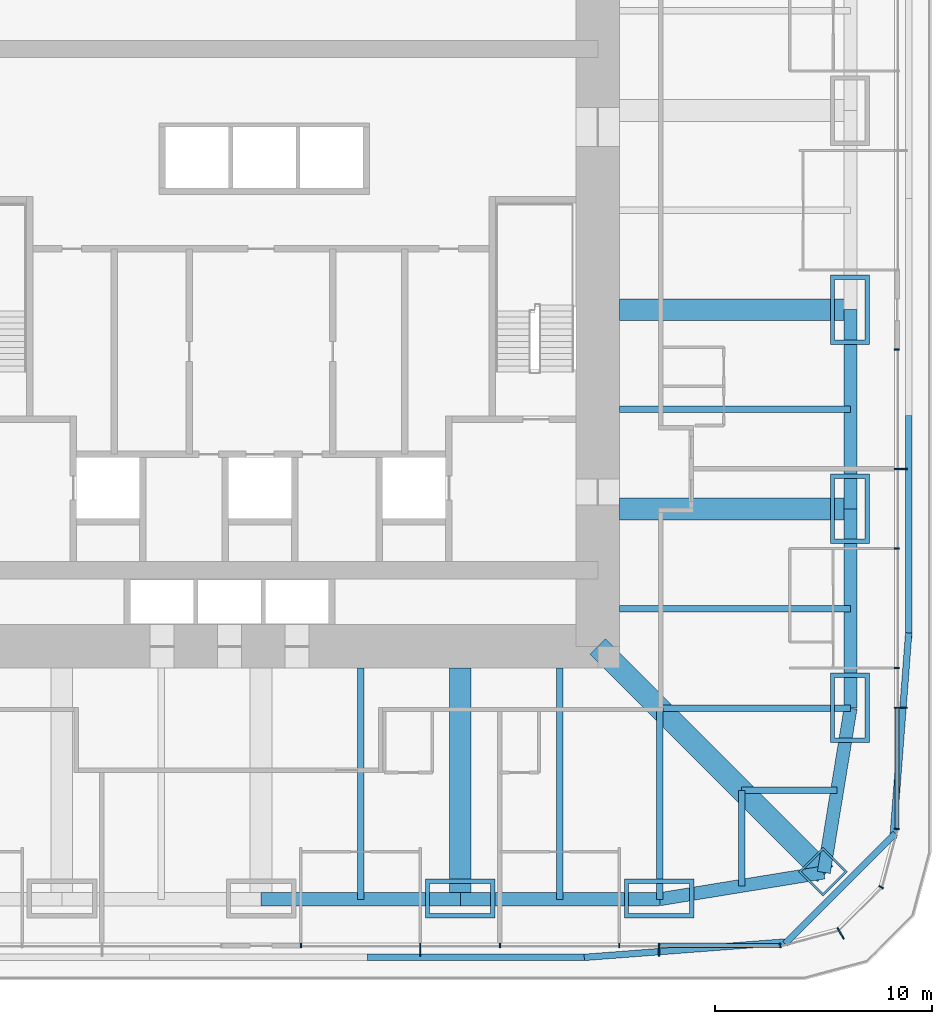
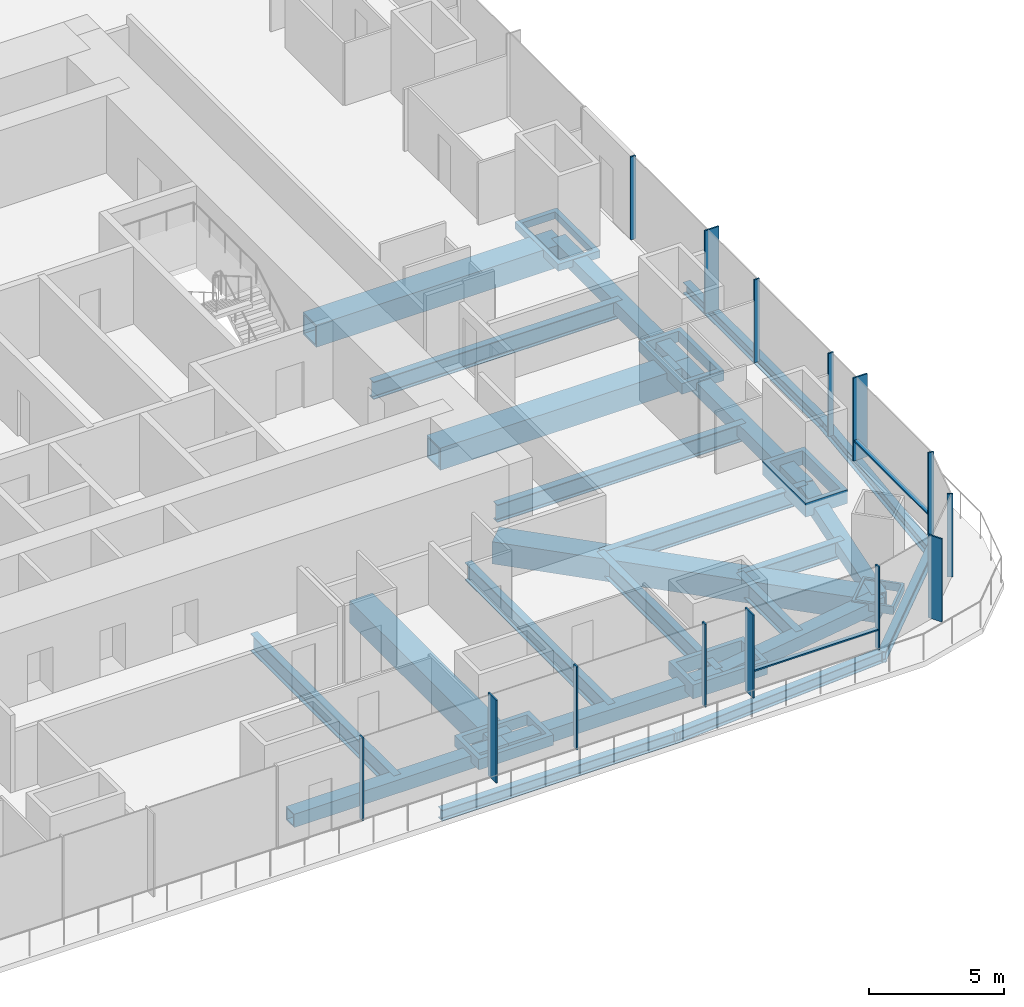
# One storey, part 4 of 16: 32 members, 13 beams, 3 elements without a shape of their own.
"""IFC4 building model written with IfcOpenShell, lengths in metres."""

from ifc_helpers import new_model, si_unit, direction, frame, origin, origin_2d, place, context, subcontext, project, spatial, rectangle, hollow_rectangle, i_section, extrude, material, material_profile, profile_set, type_object, element, aggregate, save


model = new_model("IFC4")

# Units and contexts
model_context = context("Model", 3, precision=1e-05, world=origin(), true_north=direction((0.0, 1.0)))
body_context = subcontext(model_context, "Body", "Model", "MODEL_VIEW")
ifc_project = project(units=[si_unit("LENGTHUNIT", "METRE"), si_unit("AREAUNIT", "SQUARE_METRE"), si_unit("VOLUMEUNIT", "CUBIC_METRE"), si_unit("PLANEANGLEUNIT", "RADIAN"), si_unit("MASSUNIT", "GRAM", prefix="KILO")], contexts=[model_context])

# Site, building, storey
site_placement = place(None, origin())
site = spatial("IfcSite", under=ifc_project, at=site_placement, CompositionType="ELEMENT")
building_placement = place(site_placement, origin())
building = spatial("IfcBuilding", under=site, at=building_placement, Name="Khuree Lantern Residences", CompositionType="ELEMENT")
storey_placement = place(building_placement, frame((0.0, 0.0, 107.25)))
storey = spatial("IfcBuildingStorey", under=building, at=storey_placement, Name="L26", CompositionType="ELEMENT", Elevation=107.25)

# Beams
ifc_material_1 = material(Name="Steel S355", Category="steel")
ifc_material_profile_1 = material_profile(ifc_material_1, i_section(OverallWidth=0.300048828125, OverallDepth=0.7900390625, WebThickness=0.014892578125, FlangeThickness=0.028076171875, FilletRadius=0.030029296875, at=origin_2d()), Name="HE 800 A")
ifc_profile_set_1 = profile_set([ifc_material_profile_1], Name="Steel S355")
beam_type_1 = type_object("IfcBeamType", Name="B-21 SECONDARY BEAM HE 800 A", PredefinedType="BEAM", material=ifc_profile_set_1)
for number, where, z_axis, x_axis, name in (
    (1, (27.1337890625, -4.585205078125, -0.64501953125), (-1.0, 0.0, 0.0), (0.0, -1.0, 0.0), "Secondary beam E4"),
    (2, (27.1337890625, -13.755859375, -0.64501953125), (-1.0, 0.0, 0.0), (0.0, -1.0, 0.0), "Secondary beam E5"),
):
    element("IfcBeam", number, at=place(storey_placement, frame(where, z_axis=z_axis, x_axis=x_axis)), inside=storey, type_object=beam_type_1, Name=name, PredefinedType="BEAM", context=body_context, shape_type="SweptSolid", body=[
        extrude(i_section(OverallWidth=0.300048828125, OverallDepth=0.7900390625, WebThickness=0.014892578125, FlangeThickness=0.028076171875, FilletRadius=0.030029296875, at=origin_2d()), origin(), (0.0, 0.0, 1.0), 10.6337890625),
    ])
for number, where, z_axis, x_axis, name in (
    (3, (26.517578125, -22.12109375, -0.64501953125), (-1.0, 0.0, 0.0), (0.0, -1.0, 0.0), "Secondary beam E6"),
    (4, (22.12109375, -26.517578125, -0.64501953125), (0.0, 1.0, 0.0), (-1.0, 0.0, 0.0), "Secondary beam S1"),
):
    element("IfcBeam", number, at=place(storey_placement, frame(where, z_axis=z_axis, x_axis=x_axis)), inside=storey, type_object=beam_type_1, Name=name, PredefinedType="BEAM", context=body_context, shape_type="SweptSolid", body=[
        extrude(i_section(OverallWidth=0.300048828125, OverallDepth=0.7900390625, WebThickness=0.014892578125, FlangeThickness=0.028076171875, FilletRadius=0.030029296875, at=origin_2d()), origin(), (0.0, 0.0, 1.0), 4.396484375),
    ])
for number, where, z_axis, x_axis, name in (
    (5, (13.755859375, -27.1337890625, -0.64501953125), (0.0, 1.0, 0.0), (-1.0, 0.0, 0.0), "Secondary beam S2"),
    (6, (4.585205078125, -27.1337890625, -0.64501953125), (0.0, 1.0, 0.0), (-1.0, 0.0, 0.0), "Secondary beam S3"),
):
    element("IfcBeam", number, at=place(storey_placement, frame(where, z_axis=z_axis, x_axis=x_axis)), inside=storey, type_object=beam_type_1, Name=name, PredefinedType="BEAM", context=body_context, shape_type="SweptSolid", body=[
        extrude(i_section(OverallWidth=0.300048828125, OverallDepth=0.7900390625, WebThickness=0.014892578125, FlangeThickness=0.028076171875, FilletRadius=0.030029296875, at=origin_2d()), origin(), (0.0, 0.0, 1.0), 10.6337890625),
    ])

# Members
ifc_material_profile_2 = material_profile(ifc_material_1, hollow_rectangle(XDim=0.60009765625, YDim=0.60009765625, WallThickness=0.050048828125, at=origin_2d()), Name="WELDED BOX 600X600X50")
ifc_profile_set_2 = profile_set([ifc_material_profile_2], Name="Steel S355")
member_type_1 = type_object("IfcMemberType", Name="BT-26 BELT TRUSS CHORD WELDED BOX 600X600X50", PredefinedType="CHORD", material=ifc_profile_set_2)
member_1_placement = place(storey_placement, frame((27.1337890625, 0.0, -0.550048828125), z_axis=(0.0, -1.0, 0.0), x_axis=(1.0, 0.0, 0.0)))
element("IfcMember", 7, at=member_1_placement, inside=storey, type_object=member_type_1, Name="Belt truss chord E4", PredefinedType="CHORD", context=body_context, shape_type="SweptSolid", body=[
    extrude(hollow_rectangle(XDim=0.60009765625, YDim=0.60009765625, WallThickness=0.050048828125, at=origin_2d()), origin(), (0.0, 0.0, 1.0), 9.17041015625),
])
member_2_placement = place(storey_placement, frame((27.1337890625, -9.17041015625, -0.550048828125), z_axis=(0.0, -1.0, 0.0), x_axis=(1.0, 0.0, 0.0)))
element("IfcMember", 8, at=member_2_placement, inside=storey, type_object=member_type_1, Name="Belt truss chord E5", PredefinedType="CHORD", context=body_context, shape_type="SweptSolid", body=[
    extrude(hollow_rectangle(XDim=0.60009765625, YDim=0.60009765625, WallThickness=0.050048828125, at=origin_2d()), origin(), (0.0, 0.0, 1.0), 9.170654296875),
])
for number, where, z_axis, x_axis, name in (
    (9, (27.1337890625, -18.341064453125, -0.550048828125), (-0.160888608448, -0.986972570881, 0.0), (0.986972570881, -0.160888608448, 0.0), "Belt truss chord E6"),
    (10, (25.9013671875, -25.9013671875, -0.550048828125), (-0.986972570881, -0.160888608448, 0.0), (0.160888608448, -0.986972570881, 0.0), "Belt truss chord S1"),
):
    element("IfcMember", number, at=place(storey_placement, frame(where, z_axis=z_axis, x_axis=x_axis)), inside=storey, type_object=member_type_1, Name=name, PredefinedType="CHORD", context=body_context, shape_type="SweptSolid", body=[
        extrude(hollow_rectangle(XDim=0.60009765625, YDim=0.60009765625, WallThickness=0.050048828125, at=origin_2d()), origin(), (0.0, 0.0, 1.0), 7.66015625),
    ])
member_3_placement = place(storey_placement, frame((18.341064453125, -27.1337890625, -0.550048828125), z_axis=(-1.0, 0.0, 0.0), x_axis=(0.0, -1.0, 0.0)))
element("IfcMember", 11, at=member_3_placement, inside=storey, type_object=member_type_1, Name="Belt truss chord S2", PredefinedType="CHORD", context=body_context, shape_type="SweptSolid", body=[
    extrude(hollow_rectangle(XDim=0.60009765625, YDim=0.60009765625, WallThickness=0.050048828125, at=origin_2d()), origin(), (0.0, 0.0, 1.0), 9.170654296875),
])
member_4_placement = place(storey_placement, frame((9.17041015625, -27.1337890625, -0.550048828125), z_axis=(-1.0, 0.0, 0.0), x_axis=(0.0, -1.0, 0.0)))
element("IfcMember", 12, at=member_4_placement, inside=storey, type_object=member_type_1, Name="Belt truss chord S3", PredefinedType="CHORD", context=body_context, shape_type="SweptSolid", body=[
    extrude(hollow_rectangle(XDim=0.60009765625, YDim=0.60009765625, WallThickness=0.050048828125, at=origin_2d()), origin(), (0.0, 0.0, 1.0), 9.17041015625),
])

# Curtain wall, member
ifc_material_2 = material(Name="Bronze anodised aluminium", Category="aluminium")
curtain_wall_type_1 = type_object("IfcCurtainWallType", Name="CW-T2 TOWER CORNER CURTAIN WALL", PredefinedType="USERDEFINED", material=ifc_material_2)
curtain_wall_1_placement = place(storey_placement, origin())
curtain_wall_1 = element("IfcCurtainWall", 13, at=curtain_wall_1_placement, inside=storey, type_object=curtain_wall_type_1, Name="L26 SOUTH-EAST CORNER CURTAIN WALL", ObjectType="Faceted corner curtain wall", PredefinedType="USERDEFINED")
ifc_material_profile_3 = material_profile(ifc_material_2, rectangle(XDim=0.06494140625, YDim=0.60009765625, at=origin_2d()), Name="F1 65X600")
ifc_profile_set_3 = profile_set([ifc_material_profile_3], Name="Bronze anodised aluminium")
member_type_2 = type_object("IfcMemberType", Name="F1 BRONZE FIN MULLION TOWER 65X600", PredefinedType="MULLION", material=ifc_profile_set_3)
member_5_placement = place(storey_placement, frame((26.675048828125, -28.70654296875, 0.0), z_axis=(0.0, 0.0, 1.0), x_axis=(0.866025388199, 0.500000026995, 0.0)))
member_5 = element("IfcMember", 14, at=member_5_placement, type_object=member_type_2, Name="L26 SOUTH-EAST CORNER FIN MULLION 2", PredefinedType="MULLION", context=body_context, shape_type="SweptSolid", body=[
    extrude(rectangle(XDim=0.06494140625, YDim=0.60009765625, at=origin_2d()), origin(), (0.0, 0.0, 1.0), 3.75),
])

# Curtain wall, members
curtain_wall_type_2 = type_object("IfcCurtainWallType", Name="CW-T1 TOWER FACE CURTAIN WALL", PredefinedType="USERDEFINED", material=ifc_material_2)
curtain_wall_2_placement = place(storey_placement, origin())
curtain_wall_2 = element("IfcCurtainWall", 15, at=curtain_wall_2_placement, inside=storey, type_object=curtain_wall_type_2, Name="L26 EAST FACE CURTAIN WALL", ObjectType="Stick-built curtain wall", PredefinedType="USERDEFINED")
member_6_placement = place(storey_placement, frame((29.449951171875, -18.320068359375, 0.0), z_axis=(0.0, 0.0, 1.0), x_axis=(0.0, 1.0, 0.0)))
member_6 = element("IfcMember", 16, at=member_6_placement, type_object=member_type_2, Name="L26 EAST FACE FIN MULLION 5", PredefinedType="MULLION", context=body_context, shape_type="SweptSolid", body=[
    extrude(rectangle(XDim=0.06494140625, YDim=0.60009765625, at=origin_2d()), origin(), (0.0, 0.0, 1.0), 3.75),
])
member_7_placement = place(storey_placement, frame((29.449951171875, -7.327880859375, 0.0), z_axis=(0.0, 0.0, 1.0), x_axis=(0.0, 1.0, 0.0)))
member_7 = element("IfcMember", 17, at=member_7_placement, type_object=member_type_2, Name="L26 EAST FACE FIN MULLION 8", PredefinedType="MULLION", context=body_context, shape_type="SweptSolid", body=[
    extrude(rectangle(XDim=0.06494140625, YDim=0.60009765625, at=origin_2d()), origin(), (0.0, 0.0, 1.0), 3.75),
])

curtain_wall_3_placement = place(storey_placement, origin())
curtain_wall_3 = element("IfcCurtainWall", 18, at=curtain_wall_3_placement, inside=storey, type_object=curtain_wall_type_2, Name="L26 SOUTH FACE CURTAIN WALL", ObjectType="Stick-built curtain wall", PredefinedType="USERDEFINED")
member_8_placement = place(storey_placement, frame((7.327880859375, -29.449951171875, 0.0), z_axis=(0.0, 0.0, 1.0), x_axis=(1.0, 0.0, 0.0)))
member_8 = element("IfcMember", 19, at=member_8_placement, type_object=member_type_2, Name="L26 SOUTH FACE FIN MULLION 53", PredefinedType="MULLION", context=body_context, shape_type="SweptSolid", body=[
    extrude(rectangle(XDim=0.06494140625, YDim=0.60009765625, at=origin_2d()), origin(), (0.0, 0.0, 1.0), 3.75),
])
member_9_placement = place(storey_placement, frame((18.320068359375, -29.449951171875, 0.0), z_axis=(0.0, 0.0, 1.0), x_axis=(1.0, 0.0, 0.0)))
member_9 = element("IfcMember", 20, at=member_9_placement, type_object=member_type_2, Name="L26 SOUTH FACE FIN MULLION 56", PredefinedType="MULLION", context=body_context, shape_type="SweptSolid", body=[
    extrude(rectangle(XDim=0.06494140625, YDim=0.60009765625, at=origin_2d()), origin(), (0.0, 0.0, 1.0), 3.75),
])

# Beams
ifc_material_profile_4 = material_profile(ifc_material_1, i_section(OverallWidth=0.300048828125, OverallDepth=0.800048828125, WebThickness=0.017578125, FlangeThickness=0.032958984375, FilletRadius=0.030029296875, at=origin_2d()), Name="HE 800 B")
ifc_profile_set_4 = profile_set([ifc_material_profile_4], Name="Steel S355")
beam_type_2 = type_object("IfcBeamType", Name="G-21 GIRDER HE 800 B", PredefinedType="BEAM", material=ifc_profile_set_4)
for number, where, z_axis, x_axis, name in (
    (21, (27.135498046875, -18.342041015625, -0.64990234375), (-1.0, 0.0, 0.0), (0.0, -1.0, 0.0), "Girder E5"),
    (22, (18.342041015625, -27.135498046875, -0.64990234375), (0.0, 1.0, 0.0), (-1.0, 0.0, 0.0), "Girder S1"),
):
    element("IfcBeam", number, at=place(storey_placement, frame(where, z_axis=z_axis, x_axis=x_axis)), inside=storey, type_object=beam_type_2, Name=name, PredefinedType="BEAM", context=body_context, shape_type="SweptSolid", body=[
        extrude(i_section(OverallWidth=0.300048828125, OverallDepth=0.800048828125, WebThickness=0.017578125, FlangeThickness=0.032958984375, FilletRadius=0.030029296875, at=origin_2d()), origin(), (0.0, 0.0, 1.0), 8.79345703125),
    ])

# Member
ifc_material_profile_5 = material_profile(ifc_material_2, rectangle(XDim=0.06494140625, YDim=0.219970703125, at=origin_2d()), Name="M1 65X220")
ifc_profile_set_5 = profile_set([ifc_material_profile_5], Name="Bronze anodised aluminium")
member_type_3 = type_object("IfcMemberType", Name="M1 BRONZE MULLION TOWER 65X220", PredefinedType="MULLION", material=ifc_profile_set_5)
member_10_placement = place(storey_placement, frame((23.89501953125, -29.26171875, 0.0), z_axis=(0.0, 0.0, 1.0), x_axis=(0.991444857305, 0.130526223125, 0.0)))
member_10 = element("IfcMember", 23, at=member_10_placement, type_object=member_type_3, Name="L26 SOUTH-EAST CORNER MULLION 1", PredefinedType="MULLION", context=body_context, shape_type="SweptSolid", body=[
    extrude(rectangle(XDim=0.06494140625, YDim=0.219970703125, at=origin_2d()), origin(), (0.0, 0.0, 1.0), 3.75),
])

member_11_placement = place(storey_placement, frame((28.5419921875, -26.580078125, 0.0), z_axis=(0.0, 0.0, 1.0), x_axis=(0.500000026995, 0.866025388199, 0.0)))
member_11 = element("IfcMember", 24, at=member_11_placement, type_object=member_type_3, Name="L26 SOUTH-EAST CORNER MULLION 3", PredefinedType="MULLION", context=body_context, shape_type="SweptSolid", body=[
    extrude(rectangle(XDim=0.06494140625, YDim=0.219970703125, at=origin_2d()), origin(), (0.0, 0.0, 1.0), 3.75),
])

aggregate(curtain_wall_1, [member_10, member_5, member_11])

member_12_placement = place(storey_placement, frame((29.26171875, -23.89501953125, 0.0), z_axis=(0.0, 0.0, 1.0), x_axis=(0.130526223125, 0.991444857305, 0.0)))
member_12 = element("IfcMember", 25, at=member_12_placement, type_object=member_type_3, Name="L26 EAST FACE MULLION 4", PredefinedType="MULLION", context=body_context, shape_type="SweptSolid", body=[
    extrude(rectangle(XDim=0.06494140625, YDim=0.219970703125, at=origin_2d()), origin(), (0.0, 0.0, 1.0), 3.75),
])

member_13_placement = place(storey_placement, frame((29.260009765625, -16.488037109375, 0.0), z_axis=(0.0, 0.0, 1.0), x_axis=(0.0, 1.0, 0.0)))
member_13 = element("IfcMember", 26, at=member_13_placement, type_object=member_type_3, Name="L26 EAST FACE MULLION 6", PredefinedType="MULLION", context=body_context, shape_type="SweptSolid", body=[
    extrude(rectangle(XDim=0.06494140625, YDim=0.219970703125, at=origin_2d()), origin(), (0.0, 0.0, 1.0), 3.75),
])

member_14_placement = place(storey_placement, frame((29.260009765625, -10.991943359375, 0.0), z_axis=(0.0, 0.0, 1.0), x_axis=(0.0, 1.0, 0.0)))
member_14 = element("IfcMember", 27, at=member_14_placement, type_object=member_type_3, Name="L26 EAST FACE MULLION 7", PredefinedType="MULLION", context=body_context, shape_type="SweptSolid", body=[
    extrude(rectangle(XDim=0.06494140625, YDim=0.219970703125, at=origin_2d()), origin(), (0.0, 0.0, 1.0), 3.75),
])

member_15_placement = place(storey_placement, frame((29.260009765625, -1.83203125, 0.0), z_axis=(0.0, 0.0, 1.0), x_axis=(0.0, 1.0, 0.0)))
member_15 = element("IfcMember", 28, at=member_15_placement, type_object=member_type_3, Name="L26 EAST FACE MULLION 9", PredefinedType="MULLION", context=body_context, shape_type="SweptSolid", body=[
    extrude(rectangle(XDim=0.06494140625, YDim=0.219970703125, at=origin_2d()), origin(), (0.0, 0.0, 1.0), 3.75),
])

member_16_placement = place(storey_placement, frame((1.83203125, -29.260009765625, 0.0), z_axis=(0.0, 0.0, 1.0), x_axis=(1.0, 0.0, 0.0)))
member_16 = element("IfcMember", 29, at=member_16_placement, type_object=member_type_3, Name="L26 SOUTH FACE MULLION 52", PredefinedType="MULLION", context=body_context, shape_type="SweptSolid", body=[
    extrude(rectangle(XDim=0.06494140625, YDim=0.219970703125, at=origin_2d()), origin(), (0.0, 0.0, 1.0), 3.75),
])

member_17_placement = place(storey_placement, frame((10.991943359375, -29.260009765625, 0.0), z_axis=(0.0, 0.0, 1.0), x_axis=(1.0, 0.0, 0.0)))
member_17 = element("IfcMember", 30, at=member_17_placement, type_object=member_type_3, Name="L26 SOUTH FACE MULLION 54", PredefinedType="MULLION", context=body_context, shape_type="SweptSolid", body=[
    extrude(rectangle(XDim=0.06494140625, YDim=0.219970703125, at=origin_2d()), origin(), (0.0, 0.0, 1.0), 3.75),
])

member_18_placement = place(storey_placement, frame((16.488037109375, -29.260009765625, 0.0), z_axis=(0.0, 0.0, 1.0), x_axis=(1.0, 0.0, 0.0)))
member_18 = element("IfcMember", 31, at=member_18_placement, type_object=member_type_3, Name="L26 SOUTH FACE MULLION 55", PredefinedType="MULLION", context=body_context, shape_type="SweptSolid", body=[
    extrude(rectangle(XDim=0.06494140625, YDim=0.219970703125, at=origin_2d()), origin(), (0.0, 0.0, 1.0), 3.75),
])

# Members
ifc_material_3 = material(Name="Steel S355 CFT welded box", Category="steel")
ifc_material_profile_6 = material_profile(ifc_material_3, hollow_rectangle(XDim=3.199951171875, YDim=1.800048828125, WallThickness=0.199951171875, at=origin_2d()), Name="WELDED BOX 3200X1800X200")
ifc_profile_set_6 = profile_set([ifc_material_profile_6], Name="Steel S355 CFT welded box")
member_type_4 = type_object("IfcMemberType", Name="MN MEGA COLUMN NODE WELDED BOX 3200X1800X200", PredefinedType="MEMBER", material=ifc_profile_set_6)
member_19_placement = place(storey_placement, frame((27.10009765625, 0.0, -0.550048828125), z_axis=(0.0, 0.0, 1.0), x_axis=(0.0, 1.0, 0.0)))
element("IfcMember", 32, at=member_19_placement, inside=storey, type_object=member_type_4, Name="Mega column node E3", PredefinedType="MEMBER", context=body_context, shape_type="SweptSolid", body=[
    extrude(hollow_rectangle(XDim=3.199951171875, YDim=1.800048828125, WallThickness=0.199951171875, at=origin_2d()), origin(), (0.0, 0.0, 1.0), 0.320068359375),
])
member_20_placement = place(storey_placement, frame((27.10009765625, -9.159912109375, -0.550048828125), z_axis=(0.0, 0.0, 1.0), x_axis=(0.0, 1.0, 0.0)))
element("IfcMember", 33, at=member_20_placement, inside=storey, type_object=member_type_4, Name="Mega column node E4", PredefinedType="MEMBER", context=body_context, shape_type="SweptSolid", body=[
    extrude(hollow_rectangle(XDim=3.199951171875, YDim=1.800048828125, WallThickness=0.199951171875, at=origin_2d()), origin(), (0.0, 0.0, 1.0), 0.47998046875),
])
for number, where, z_axis, x_axis, name in (
    (34, (27.10009765625, -18.320068359375, -0.550048828125), (0.0, 0.0, 1.0), (0.0, 1.0, 0.0), "Mega column node E5"),
    (35, (18.320068359375, -27.10009765625, -0.550048828125), (0.0, 0.0, 1.0), (1.0, 0.0, 0.0), "Mega column node S1"),
):
    element("IfcMember", number, at=place(storey_placement, frame(where, z_axis=z_axis, x_axis=x_axis)), inside=storey, type_object=member_type_4, Name=name, PredefinedType="MEMBER", context=body_context, shape_type="SweptSolid", body=[
        extrude(hollow_rectangle(XDim=3.199951171875, YDim=1.800048828125, WallThickness=0.199951171875, at=origin_2d()), origin(), (0.0, 0.0, 1.0), 0.630126953125),
    ])
member_21_placement = place(storey_placement, frame((9.159912109375, -27.10009765625, -0.550048828125), z_axis=(0.0, 0.0, 1.0), x_axis=(1.0, 0.0, 0.0)))
element("IfcMember", 36, at=member_21_placement, inside=storey, type_object=member_type_4, Name="Mega column node S2", PredefinedType="MEMBER", context=body_context, shape_type="SweptSolid", body=[
    extrude(hollow_rectangle(XDim=3.199951171875, YDim=1.800048828125, WallThickness=0.199951171875, at=origin_2d()), origin(), (0.0, 0.0, 1.0), 0.47998046875),
])
ifc_material_profile_7 = material_profile(ifc_material_3, hollow_rectangle(XDim=1.60009765625, YDim=1.60009765625, WallThickness=0.10009765625, at=origin_2d()), Name="WELDED BOX 1600X1600X100")
ifc_profile_set_7 = profile_set([ifc_material_profile_7], Name="Steel S355 CFT welded box")
member_type_5 = type_object("IfcMemberType", Name="MNA MEGA COLUMN NODE WELDED BOX 1600X1600X100", PredefinedType="MEMBER", material=ifc_profile_set_7)
member_22_placement = place(storey_placement, frame((25.869873046875, -25.869873046875, -0.550048828125), z_axis=(0.0, 0.0, 1.0), x_axis=(0.707106781187, 0.707106781187, 0.0)))
element("IfcMember", 37, at=member_22_placement, inside=storey, type_object=member_type_5, Name="Mega column node SE", PredefinedType="MEMBER", context=body_context, shape_type="SweptSolid", body=[
    extrude(hollow_rectangle(XDim=1.60009765625, YDim=1.60009765625, WallThickness=0.10009765625, at=origin_2d()), origin(), (0.0, 0.0, 1.0), 0.360107421875),
])
ifc_material_profile_8 = material_profile(ifc_material_1, hollow_rectangle(XDim=1.0, YDim=1.0, WallThickness=0.080078125, at=origin_2d()), Name="WELDED BOX 1000X1000X80")
ifc_profile_set_8 = profile_set([ifc_material_profile_8], Name="Steel S355")
member_type_6 = type_object("IfcMemberType", Name="OT-26 OUTRIGGER TRUSS CHORD WELDED BOX 1000X1000X80", PredefinedType="CHORD", material=ifc_profile_set_8)
for number, where, z_axis, x_axis, name in (
    (38, (27.135498046875, 0.0, -0.75), (-1.0, 0.0, 0.0), (0.0, -1.0, 0.0), "Outrigger chord E3"),
    (39, (27.135498046875, -9.171142578125, -0.75), (-1.0, 0.0, 0.0), (0.0, -1.0, 0.0), "Outrigger chord E4"),
    (40, (9.171142578125, -27.135498046875, -0.75), (0.0, 1.0, 0.0), (-1.0, 0.0, 0.0), "Outrigger chord S2"),
):
    element("IfcMember", number, at=place(storey_placement, frame(where, z_axis=z_axis, x_axis=x_axis)), inside=storey, type_object=member_type_6, Name=name, PredefinedType="CHORD", context=body_context, shape_type="SweptSolid", body=[
        extrude(hollow_rectangle(XDim=1.0, YDim=1.0, WallThickness=0.080078125, at=origin_2d()), origin(), (0.0, 0.0, 1.0), 10.635498046875),
    ])
member_23_placement = place(storey_placement, frame((25.969482421875, -25.969482421875, -0.75), z_axis=(-0.707106781187, 0.707106781187, 0.0), x_axis=(-0.707106781187, -0.707106781187, 0.0)))
element("IfcMember", 41, at=member_23_placement, inside=storey, type_object=member_type_6, Name="Outrigger chord SE", PredefinedType="CHORD", context=body_context, shape_type="SweptSolid", body=[
    extrude(hollow_rectangle(XDim=1.0, YDim=1.0, WallThickness=0.080078125, at=origin_2d()), origin(), (0.0, 0.0, 1.0), 14.80615234375),
])

# Beams
ifc_material_profile_9 = material_profile(ifc_material_1, i_section(OverallWidth=0.300048828125, OverallDepth=0.5, WebThickness=0.014404296875, FlangeThickness=0.028076171875, FilletRadius=0.027099609375, at=origin_2d()), Name="HE 500 B")
ifc_profile_set_9 = profile_set([ifc_material_profile_9], Name="Steel S355")
beam_type_3 = type_object("IfcBeamType", Name="TB1 TERRACE EDGE BEAM HE 500 B", PredefinedType="BEAM", material=ifc_profile_set_9)
beam_1_placement = place(storey_placement, frame((29.800048828125, -4.875, -0.5), z_axis=(0.0, -1.0, 0.0), x_axis=(1.0, 0.0, 0.0)))
element("IfcBeam", 42, at=beam_1_placement, inside=storey, type_object=beam_type_3, Name="Terrace edge beam E4", PredefinedType="BEAM", context=body_context, shape_type="SweptSolid", body=[
    extrude(i_section(OverallWidth=0.300048828125, OverallDepth=0.5, WebThickness=0.014404296875, FlangeThickness=0.028076171875, FilletRadius=0.027099609375, at=origin_2d()), origin(), (0.0, 0.0, 1.0), 10.25),
])
beam_2_placement = place(storey_placement, frame((29.8095703125, -14.875244140625, -0.5), z_axis=(-0.07622551891, -0.997090602838, 0.0), x_axis=(0.997090602838, -0.07622551891, 0.0)))
element("IfcBeam", 43, at=beam_2_placement, inside=storey, type_object=beam_type_3, Name="Terrace edge beam E5", PredefinedType="BEAM", context=body_context, shape_type="SweptSolid", body=[
    extrude(i_section(OverallWidth=0.300048828125, OverallDepth=0.5, WebThickness=0.014404296875, FlangeThickness=0.028076171875, FilletRadius=0.027099609375, at=origin_2d()), origin(), (0.0, 0.0, 1.0), 9.47412109375),
])
beam_3_placement = place(storey_placement, frame((29.185546875, -24.108642578125, -0.5), z_axis=(-0.707106781187, -0.707106781187, 0.0), x_axis=(0.707106781187, -0.707106781187, 0.0)))
element("IfcBeam", 44, at=beam_3_placement, inside=storey, type_object=beam_type_3, Name="Terrace edge beam E6", PredefinedType="BEAM", context=body_context, shape_type="SweptSolid", body=[
    extrude(i_section(OverallWidth=0.300048828125, OverallDepth=0.5, WebThickness=0.014404296875, FlangeThickness=0.028076171875, FilletRadius=0.027099609375, at=origin_2d()), origin(), (0.0, 0.0, 1.0), 7.179931640625),
])
beam_4_placement = place(storey_placement, frame((24.32177734375, -29.08740234375, -0.5), z_axis=(-0.997090602838, -0.07622551891, 0.0), x_axis=(0.07622551891, -0.997090602838, 0.0)))
element("IfcBeam", 45, at=beam_4_placement, inside=storey, type_object=beam_type_3, Name="Terrace edge beam S1", PredefinedType="BEAM", context=body_context, shape_type="SweptSolid", body=[
    extrude(i_section(OverallWidth=0.300048828125, OverallDepth=0.5, WebThickness=0.014404296875, FlangeThickness=0.028076171875, FilletRadius=0.027099609375, at=origin_2d()), origin(), (0.0, 0.0, 1.0), 9.47412109375),
])
beam_5_placement = place(storey_placement, frame((15.125, -29.800048828125, -0.5), z_axis=(-1.0, 0.0, 0.0), x_axis=(0.0, -1.0, 0.0)))
element("IfcBeam", 46, at=beam_5_placement, inside=storey, type_object=beam_type_3, Name="Terrace edge beam S2", PredefinedType="BEAM", context=body_context, shape_type="SweptSolid", body=[
    extrude(i_section(OverallWidth=0.300048828125, OverallDepth=0.5, WebThickness=0.014404296875, FlangeThickness=0.028076171875, FilletRadius=0.027099609375, at=origin_2d()), origin(), (0.0, 0.0, 1.0), 10.25),
])

# Member
ifc_material_profile_10 = material_profile(ifc_material_2, rectangle(XDim=0.179931640625, YDim=0.06494140625, at=origin_2d()), Name="T1 180X65")
ifc_profile_set_10 = profile_set([ifc_material_profile_10], Name="Bronze anodised aluminium")
member_type_7 = type_object("IfcMemberType", Name="TRANSOM T1 TOWER 180X65", PredefinedType="USERDEFINED", material=ifc_profile_set_10)
member_24_placement = place(storey_placement, frame((29.27001953125, -23.851318359375, 0.89990234375), z_axis=(0.0, 1.0, 0.0), x_axis=(-1.0, 0.0, 0.0)))
member_24 = element("IfcMember", 47, at=member_24_placement, type_object=member_type_7, Name="L26 EAST FACE TRANSOM 4.1", ObjectType="Transom", PredefinedType="USERDEFINED", context=body_context, shape_type="SweptSolid", body=[
    extrude(rectangle(XDim=0.179931640625, YDim=0.06494140625, at=origin_2d()), origin(), (0.0, 0.0, 1.0), 5.498779296875),
])

aggregate(curtain_wall_2, [member_12, member_6, member_13, member_14, member_7, member_15, member_24])

member_25_placement = place(storey_placement, frame((18.3525390625, -29.27001953125, 0.89990234375), z_axis=(1.0, 0.0, 0.0), x_axis=(0.0, 1.0, 0.0)))
member_25 = element("IfcMember", 48, at=member_25_placement, type_object=member_type_7, Name="L26 SOUTH FACE TRANSOM 56.1", ObjectType="Transom", PredefinedType="USERDEFINED", context=body_context, shape_type="SweptSolid", body=[
    extrude(rectangle(XDim=0.179931640625, YDim=0.06494140625, at=origin_2d()), origin(), (0.0, 0.0, 1.0), 5.498779296875),
])

aggregate(curtain_wall_3, [member_16, member_8, member_17, member_18, member_9, member_25])

save(model, "model.ifc")
